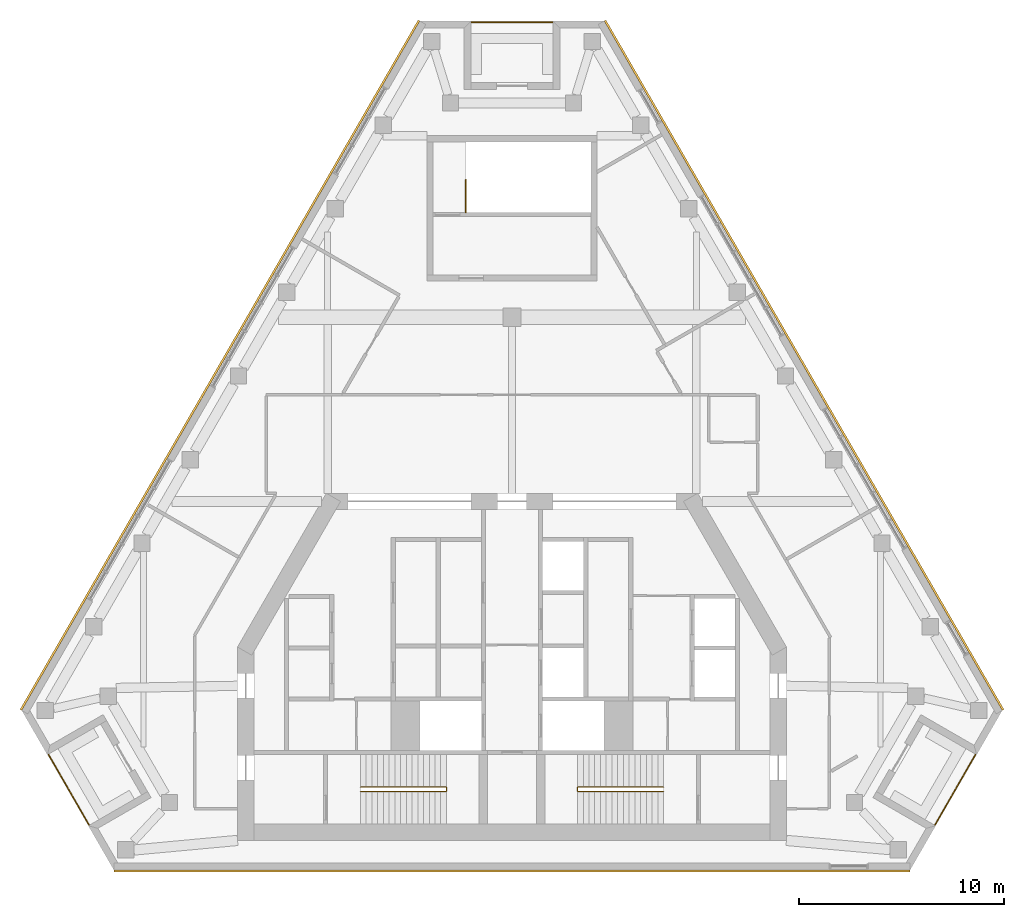
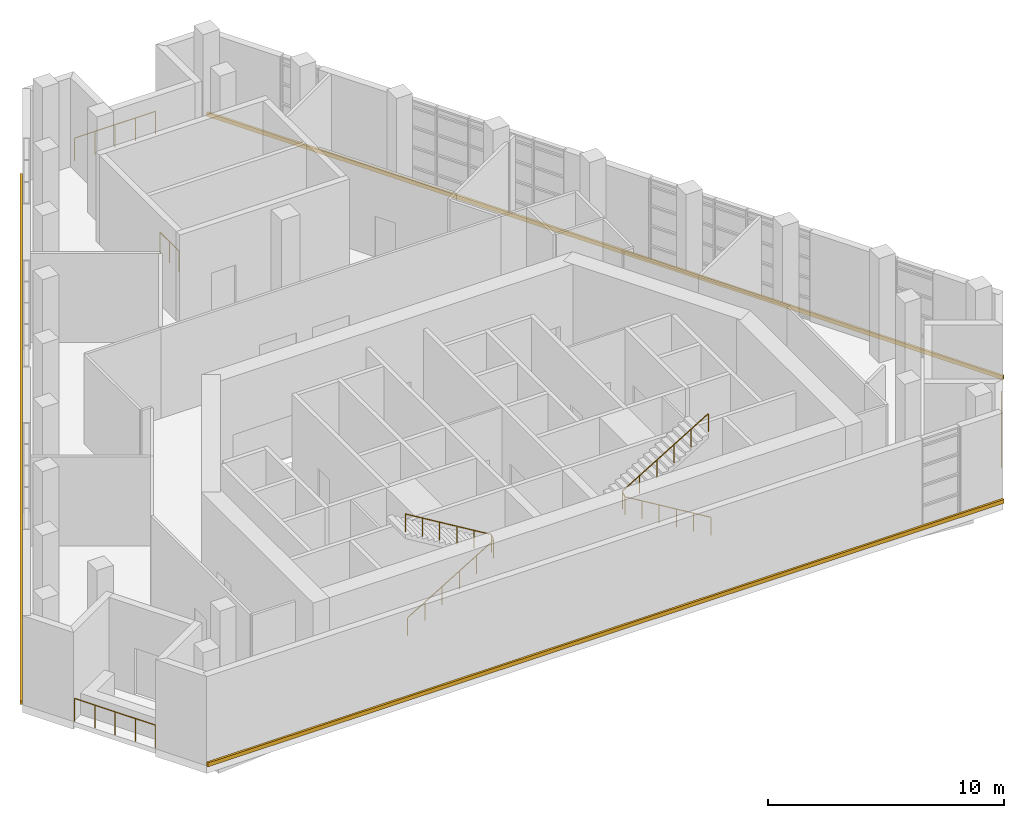
# One storey, part 13 of 13: 6 railings, 3 coverings.
"""IFC4 building model written with IfcOpenShell, lengths in metres."""

from ifc_helpers import new_model, si_unit, direction, frame, origin, origin_2d, place, context, subcontext, project, spatial, polyline, circle, outline, extrude, material, type_object, element, save


model = new_model("IFC4")

# Units and contexts
model_context = context("Model", 3, precision=1e-05, world=origin(), true_north=direction((0.0, 1.0)))
body_context = subcontext(model_context, "Body", "Model", "MODEL_VIEW")
ifc_project = project(units=[si_unit("LENGTHUNIT", "METRE"), si_unit("AREAUNIT", "SQUARE_METRE"), si_unit("VOLUMEUNIT", "CUBIC_METRE"), si_unit("PLANEANGLEUNIT", "RADIAN"), si_unit("MASSUNIT", "GRAM", prefix="KILO")], contexts=[model_context])

# Site, building, storey
site_placement = place(None, origin())
site = spatial("IfcSite", under=ifc_project, at=site_placement, CompositionType="ELEMENT")
building_placement = place(site_placement, origin())
building = spatial("IfcBuilding", under=site, at=building_placement, Name="Fogline Exchange Tower", CompositionType="ELEMENT")
storey_placement = place(building_placement, frame((0.0, 0.0, 339.300048828125)))
storey = spatial("IfcBuildingStorey", under=building, at=storey_placement, Name="L77", CompositionType="ELEMENT", Elevation=339.300048828125)

# Railings
ifc_material_1 = material(Name="Stainless steel 304", Category="steel")
railing_type_1 = type_object("IfcRailingType", Name="G1", PredefinedType="GUARDRAIL", material=ifc_material_1)
railing_1_placement = place(storey_placement, frame((-22.631103515625, 5.635986328125, 0.0)))
element("IfcRailing", 1, at=railing_1_placement, inside=storey, type_object=railing_type_1, Name="Balcony guard L77 SW", PredefinedType="GUARDRAIL", context=body_context, shape_type="SweptSolid", body=[
    extrude(circle(Radius=0.02392578125, at=origin_2d()), frame((0.0, 0.0, 1.17578125), z_axis=(0.500000102728, -0.866025344474, 0.0), x_axis=(0.866025344474, 0.500000102728, 0.0)), (0.0, 0.0, 1.0), 3.9580078125),
    extrude(circle(Radius=0.02099609375, at=origin_2d()), origin(), (0.0, 0.0, 1.0), 1.15185546875),
    extrude(circle(Radius=0.02099609375, at=origin_2d()), frame((0.49462890625, -0.85693359375, 0.0)), (0.0, 0.0, 1.0), 1.15185546875),
    extrude(circle(Radius=0.02099609375, at=origin_2d()), frame((0.989501953125, -1.7138671875, 0.0)), (0.0, 0.0, 1.0), 1.15185546875),
    extrude(circle(Radius=0.02099609375, at=origin_2d()), frame((1.484375, -2.57080078125, 0.0)), (0.0, 0.0, 1.0), 1.15185546875),
    extrude(circle(Radius=0.02099609375, at=origin_2d()), frame((1.97900390625, -3.427734375, 0.0)), (0.0, 0.0, 1.0), 1.15185546875),
])
railing_2_placement = place(storey_placement, frame((20.652099609375, 2.208251953125, 0.0)))
element("IfcRailing", 2, at=railing_2_placement, inside=storey, type_object=railing_type_1, Name="Balcony guard L77 SE", PredefinedType="GUARDRAIL", context=body_context, shape_type="SweptSolid", body=[
    extrude(circle(Radius=0.02392578125, at=origin_2d()), frame((0.0, 0.0, 1.17578125), z_axis=(0.500000102728, 0.866025344474, 0.0), x_axis=(-0.866025344474, 0.500000102728, 0.0)), (0.0, 0.0, 1.0), 3.9580078125),
    extrude(circle(Radius=0.02099609375, at=origin_2d()), origin(), (0.0, 0.0, 1.0), 1.15185546875),
    extrude(circle(Radius=0.02099609375, at=origin_2d()), frame((0.49462890625, 0.85693359375, 0.0)), (0.0, 0.0, 1.0), 1.15185546875),
    extrude(circle(Radius=0.02099609375, at=origin_2d()), frame((0.989501953125, 1.7138671875, 0.0)), (0.0, 0.0, 1.0), 1.15185546875),
    extrude(circle(Radius=0.02099609375, at=origin_2d()), frame((1.484375, 2.57080078125, 0.0)), (0.0, 0.0, 1.0), 1.15185546875),
    extrude(circle(Radius=0.02099609375, at=origin_2d()), frame((1.97900390625, 3.427734375, 0.0)), (0.0, 0.0, 1.0), 1.15185546875),
])
railing_3_placement = place(storey_placement, frame((1.97900390625, 41.40673828125, 0.0)))
element("IfcRailing", 3, at=railing_3_placement, inside=storey, type_object=railing_type_1, Name="Balcony guard L77 N", PredefinedType="GUARDRAIL", context=body_context, shape_type="SweptSolid", body=[
    extrude(circle(Radius=0.02392578125, at=origin_2d()), frame((0.0, 0.0, 1.17578125), z_axis=(-1.0, 0.0, 0.0), x_axis=(0.0, -1.0, 0.0)), (0.0, 0.0, 1.0), 3.9580078125),
    extrude(circle(Radius=0.02099609375, at=origin_2d()), origin(), (0.0, 0.0, 1.0), 1.15185546875),
    extrude(circle(Radius=0.02099609375, at=origin_2d()), frame((-0.989501953125, 0.0, 0.0)), (0.0, 0.0, 1.0), 1.15185546875),
    extrude(circle(Radius=0.02099609375, at=origin_2d()), frame((-1.97900390625, 0.0, 0.0)), (0.0, 0.0, 1.0), 1.15185546875),
    extrude(circle(Radius=0.02099609375, at=origin_2d()), frame((-2.968505859375, 0.0, 0.0)), (0.0, 0.0, 1.0), 1.15185546875),
    extrude(circle(Radius=0.02099609375, at=origin_2d()), frame((-3.9580078125, 0.0, 0.0)), (0.0, 0.0, 1.0), 1.15185546875),
])
ifc_material_2 = material(Name="Steel Q235B", Category="steel")
railing_type_2 = type_object("IfcRailingType", Name="RL-GD", PredefinedType="GUARDRAIL", material=ifc_material_2)
railing_4_placement = place(storey_placement, frame((-2.25, 32.10693359375, 0.0)))
element("IfcRailing", 4, at=railing_4_placement, inside=storey, type_object=railing_type_2, Name="Guard ST3", PredefinedType="GUARDRAIL", context=body_context, shape_type="SweptSolid", body=[
    extrude(circle(Radius=0.02392578125, at=origin_2d()), frame((0.0, 0.0, 1.076171875), z_axis=(0.0, 1.0, 0.0), x_axis=(-1.0, 0.0, 0.0)), (0.0, 0.0, 1.0), 1.60009765625),
    extrude(circle(Radius=0.02099609375, at=origin_2d()), origin(), (0.0, 0.0, 1.0), 1.052001953125),
    extrude(circle(Radius=0.02099609375, at=origin_2d()), frame((0.0, 0.800048828125, 0.0)), (0.0, 0.0, 1.0), 1.052001953125),
    extrude(circle(Radius=0.02099609375, at=origin_2d()), frame((0.0, 1.60009765625, 0.0)), (0.0, 0.0, 1.0), 1.052001953125),
])
railing_type_3 = type_object("IfcRailingType", Name="RL-HR", PredefinedType="HANDRAIL", material=ifc_material_2)
railing_5_placement = place(storey_placement, frame((-7.39990234375, 3.85009765625, 0.168701171875)))
element("IfcRailing", 5, at=railing_5_placement, inside=storey, type_object=railing_type_3, Name="Handrail ST1", PredefinedType="HANDRAIL", context=body_context, shape_type="SweptSolid", body=[
    extrude(circle(Radius=0.02392578125, at=origin_2d()), frame((0.0, 0.0, 0.92578125), z_axis=(0.856476492594, 0.0, 0.516186030065), x_axis=(0.0, 1.0, 0.0)), (0.0, 0.0, 1.0), 4.90380859375),
    extrude(circle(Radius=0.02392578125, at=origin_2d()), frame((4.199951171875, 0.0, 3.45703125), z_axis=(0.0, 0.764305856904, 0.644853903688), x_axis=(-1.0, 0.0, 0.0)), (0.0, 0.0, 1.0), 0.26171875),
    extrude(circle(Radius=0.02392578125, at=origin_2d()), frame((4.199951171875, 0.199951171875, 3.6259765625), z_axis=(-0.856476492594, 0.0, 0.516186030065), x_axis=(0.0, -1.0, 0.0)), (0.0, 0.0, 1.0), 4.90380859375),
    extrude(circle(Radius=0.02099609375, at=origin_2d()), origin(), (0.0, 0.0, 1.0), 0.90185546875),
    extrude(circle(Radius=0.02099609375, at=origin_2d()), frame((0.840087890625, 0.0, 0.50634765625)), (0.0, 0.0, 1.0), 0.90185546875),
    extrude(circle(Radius=0.02099609375, at=origin_2d()), frame((1.679931640625, 0.0, 1.012451171875)), (0.0, 0.0, 1.0), 0.90185546875),
    extrude(circle(Radius=0.02099609375, at=origin_2d()), frame((2.52001953125, 0.0, 1.518798828125)), (0.0, 0.0, 1.0), 0.90185546875),
    extrude(circle(Radius=0.02099609375, at=origin_2d()), frame((3.35986328125, 0.0, 2.02490234375)), (0.0, 0.0, 1.0), 0.90185546875),
    extrude(circle(Radius=0.02099609375, at=origin_2d()), frame((4.199951171875, 0.0, 2.53125)), (0.0, 0.0, 1.0), 0.90185546875),
    extrude(circle(Radius=0.02099609375, at=origin_2d()), frame((4.199951171875, 0.199951171875, 2.699951171875)), (0.0, 0.0, 1.0), 0.90185546875),
    extrude(circle(Radius=0.02099609375, at=origin_2d()), frame((3.35986328125, 0.199951171875, 3.206298828125)), (0.0, 0.0, 1.0), 0.90185546875),
    extrude(circle(Radius=0.02099609375, at=origin_2d()), frame((2.52001953125, 0.199951171875, 3.71240234375)), (0.0, 0.0, 1.0), 0.90185546875),
    extrude(circle(Radius=0.02099609375, at=origin_2d()), frame((1.679931640625, 0.199951171875, 4.21875)), (0.0, 0.0, 1.0), 0.90185546875),
    extrude(circle(Radius=0.02099609375, at=origin_2d()), frame((0.840087890625, 0.199951171875, 4.724853515625)), (0.0, 0.0, 1.0), 0.90185546875),
    extrude(circle(Radius=0.02099609375, at=origin_2d()), frame((0.0, 0.199951171875, 5.231201171875)), (0.0, 0.0, 1.0), 0.90185546875),
])
railing_6_placement = place(storey_placement, frame((7.39990234375, 3.85009765625, 0.168701171875)))
element("IfcRailing", 6, at=railing_6_placement, inside=storey, type_object=railing_type_3, Name="Handrail ST2", PredefinedType="HANDRAIL", context=body_context, shape_type="SweptSolid", body=[
    extrude(circle(Radius=0.02392578125, at=origin_2d()), frame((0.0, 0.0, 0.92578125), z_axis=(-0.856476492594, 0.0, 0.516186030065), x_axis=(0.0, -1.0, 0.0)), (0.0, 0.0, 1.0), 4.90380859375),
    extrude(circle(Radius=0.02392578125, at=origin_2d()), frame((-4.199951171875, 0.0, 3.45703125), z_axis=(0.0, 0.764305856904, 0.644853903688), x_axis=(-1.0, 0.0, 0.0)), (0.0, 0.0, 1.0), 0.26171875),
    extrude(circle(Radius=0.02392578125, at=origin_2d()), frame((-4.199951171875, 0.199951171875, 3.6259765625), z_axis=(0.856476492594, 0.0, 0.516186030065), x_axis=(0.0, 1.0, 0.0)), (0.0, 0.0, 1.0), 4.90380859375),
    extrude(circle(Radius=0.02099609375, at=origin_2d()), origin(), (0.0, 0.0, 1.0), 0.90185546875),
    extrude(circle(Radius=0.02099609375, at=origin_2d()), frame((-0.840087890625, 0.0, 0.50634765625)), (0.0, 0.0, 1.0), 0.90185546875),
    extrude(circle(Radius=0.02099609375, at=origin_2d()), frame((-1.679931640625, 0.0, 1.012451171875)), (0.0, 0.0, 1.0), 0.90185546875),
    extrude(circle(Radius=0.02099609375, at=origin_2d()), frame((-2.52001953125, 0.0, 1.518798828125)), (0.0, 0.0, 1.0), 0.90185546875),
    extrude(circle(Radius=0.02099609375, at=origin_2d()), frame((-3.35986328125, 0.0, 2.02490234375)), (0.0, 0.0, 1.0), 0.90185546875),
    extrude(circle(Radius=0.02099609375, at=origin_2d()), frame((-4.199951171875, 0.0, 2.53125)), (0.0, 0.0, 1.0), 0.90185546875),
    extrude(circle(Radius=0.02099609375, at=origin_2d()), frame((-4.199951171875, 0.199951171875, 2.699951171875)), (0.0, 0.0, 1.0), 0.90185546875),
    extrude(circle(Radius=0.02099609375, at=origin_2d()), frame((-3.35986328125, 0.199951171875, 3.206298828125)), (0.0, 0.0, 1.0), 0.90185546875),
    extrude(circle(Radius=0.02099609375, at=origin_2d()), frame((-2.52001953125, 0.199951171875, 3.71240234375)), (0.0, 0.0, 1.0), 0.90185546875),
    extrude(circle(Radius=0.02099609375, at=origin_2d()), frame((-1.679931640625, 0.199951171875, 4.21875)), (0.0, 0.0, 1.0), 0.90185546875),
    extrude(circle(Radius=0.02099609375, at=origin_2d()), frame((-0.840087890625, 0.199951171875, 4.724853515625)), (0.0, 0.0, 1.0), 0.90185546875),
    extrude(circle(Radius=0.02099609375, at=origin_2d()), frame((0.0, 0.199951171875, 5.231201171875)), (0.0, 0.0, 1.0), 0.90185546875),
])

# Coverings
ifc_material_3 = material(Name="Brick masonry", Category="masonry")
covering_type = type_object("IfcCoveringType", Name="SB1", PredefinedType="CLADDING", material=ifc_material_3)
covering_1_placement = place(storey_placement, origin())
element("IfcCovering", 7, at=covering_1_placement, inside=storey, type_object=covering_type, Name="Stringcourse band L77 S", PredefinedType="CLADDING", context=body_context, shape_type="SweptSolid", body=[
    extrude(outline(polyline([(-19.43505859375, 0.0), (-19.43505859375, -0.10009765625), (19.43505859375, -0.10009765625), (19.43505859375, 0.0), (-19.43505859375, 0.0)])), origin(), (0.0, 0.0, 1.0), 0.199951171875),
])
covering_2_placement = place(storey_placement, origin())
element("IfcCovering", 8, at=covering_2_placement, inside=storey, type_object=covering_type, Name="Stringcourse band L77 E", PredefinedType="CLADDING", context=body_context, shape_type="SweptSolid", body=[
    extrude(outline(polyline([(23.93505859375, 7.794189453125), (24.021484375, 7.84423828125), (4.586669921875, 41.506591796875), (4.5, 41.456787109375), (23.93505859375, 7.794189453125)])), origin(), (0.0, 0.0, 1.0), 0.199951171875),
])
covering_3_placement = place(storey_placement, origin())
element("IfcCovering", 9, at=covering_3_placement, inside=storey, type_object=covering_type, Name="Stringcourse band L77 W", PredefinedType="CLADDING", context=body_context, shape_type="SweptSolid", body=[
    extrude(outline(polyline([(-4.5, 41.456787109375), (-4.586669921875, 41.506591796875), (-24.021484375, 7.84423828125), (-23.93505859375, 7.794189453125), (-4.5, 41.456787109375)])), origin(), (0.0, 0.0, 1.0), 0.199951171875),
])

save(model, "model.ifc")
